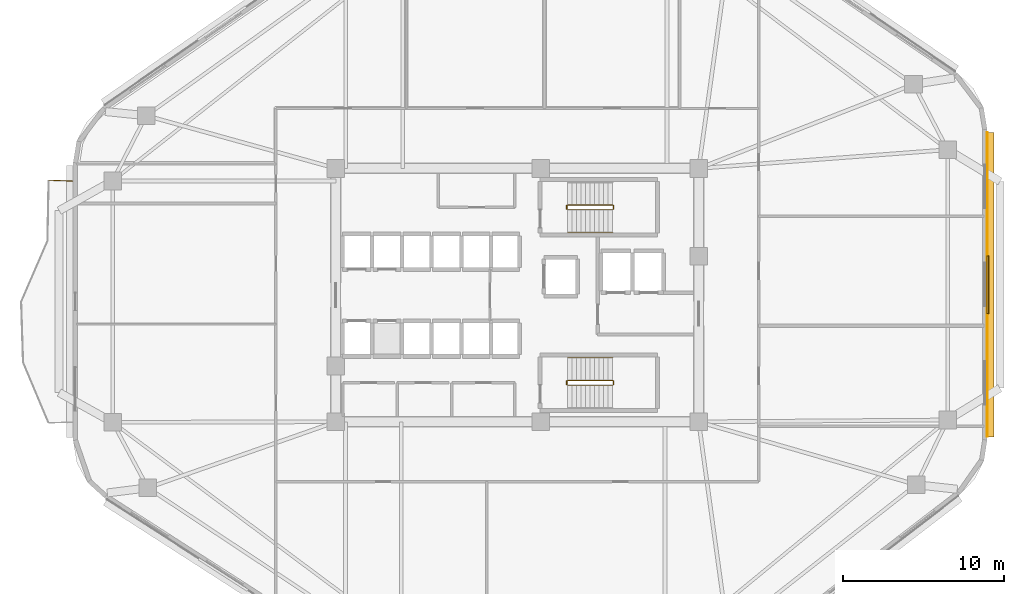
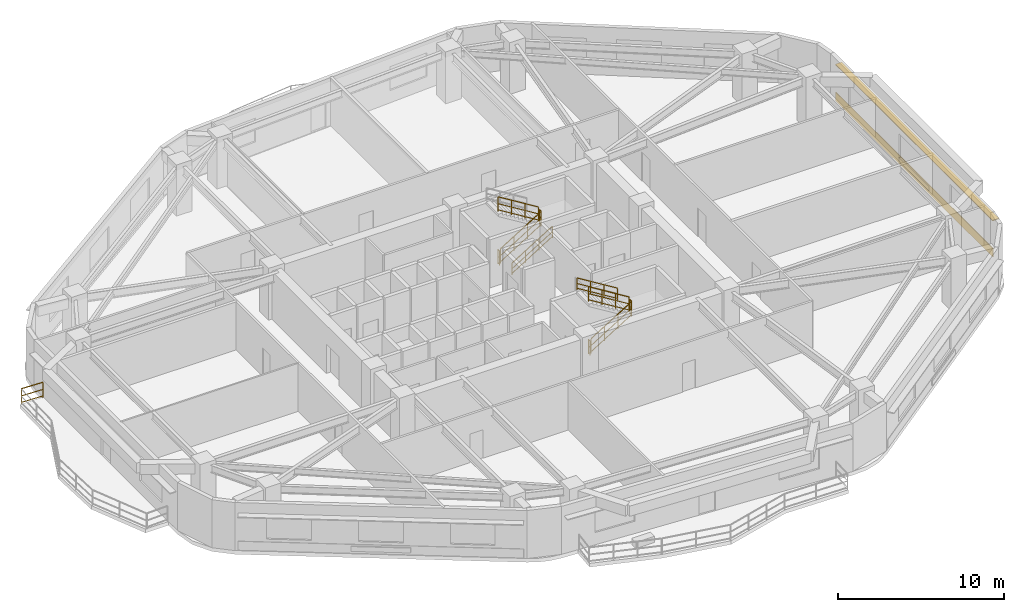
# One storey, part 8 of 10: 11 railings, 2 shading devices, 1 covering.
"""IFC4 building model written with IfcOpenShell, lengths in metres."""

from ifc_helpers import new_model, si_unit, direction, frame, origin, origin_2d, place, context, subcontext, project, spatial, rectangle, extrude, material, layer, layer_set, type_object, element, save


model = new_model("IFC4")

# Units and contexts
model_context = context("Model", 3, precision=1e-05, world=origin(), true_north=direction((0.0, 1.0)))
body_context = subcontext(model_context, "Body", "Model", "MODEL_VIEW")
ifc_project = project(units=[si_unit("LENGTHUNIT", "METRE"), si_unit("AREAUNIT", "SQUARE_METRE"), si_unit("VOLUMEUNIT", "CUBIC_METRE"), si_unit("PLANEANGLEUNIT", "RADIAN"), si_unit("MASSUNIT", "GRAM", prefix="KILO")], contexts=[model_context])

# Site, building, storey
site_placement = place(None, origin())
site = spatial("IfcSite", under=ifc_project, at=site_placement, CompositionType="ELEMENT")
building_placement = place(site_placement, origin())
building = spatial("IfcBuilding", under=site, at=building_placement, Name="Zulverin Broadcast Headquarters", CompositionType="ELEMENT")
storey_placement = place(building_placement, frame((0.0, 0.0, 97.199951171875)))
storey = spatial("IfcBuildingStorey", under=building, at=storey_placement, Name="L24", CompositionType="ELEMENT", Elevation=97.199951171875)

# Covering
ifc_material_1 = material(Name="Brushed pale-aluminium rainscreen cladding", Category="aluminium")
ifc_layer_1 = layer(ifc_material_1, 0.0400390625, Name="Brushed pale-aluminium rainscreen cladding", Category="aluminium")
ifc_layer_set_1 = layer_set([ifc_layer_1], Name="Brushed pale-aluminium rainscreen cladding")
covering_type = type_object("IfcCoveringType", Name="COV-CLAD-PALE", PredefinedType="CLADDING", material=ifc_layer_set_1)
covering_placement = place(storey_placement, frame((66.2099609375, 25.848876953125, 0.05517578125), z_axis=(0.0, 0.0, 1.0), x_axis=(0.0, 1.0, 0.0)))
element("IfcCovering", 1, at=covering_placement, inside=storey, type_object=covering_type, Name="L24 Brushed Pale-Aluminium Spandrel Cladding 3", PredefinedType="CLADDING", context=body_context, shape_type="SweptSolid", body=[
    extrude(rectangle(XDim=18.93115234375, YDim=0.0400390625, at=origin_2d()), origin(), (0.0, 0.0, 1.0), 0.64990234375),
])

# Railings
ifc_material_2 = material(Name="Brushed stainless steel & laminated glass balustrade", Category="steel")
railing_type_1 = type_object("IfcRailingType", Name="RL-GUARD-1150", PredefinedType="GUARDRAIL", material=ifc_material_2)
railing_1_placement = place(storey_placement, frame((9.360107421875, 32.284423828125, 0.0)))
element("IfcRailing", 2, at=railing_1_placement, inside=storey, type_object=railing_type_1, Name="L24 Vertical-Forest Balcony Guardrail BAL_W Segment 01", PredefinedType="GUARDRAIL", context=body_context, shape_type="SweptSolid", body=[
    extrude(rectangle(XDim=0.048095703125, YDim=0.048095703125, at=origin_2d()), frame((0.0, 0.0, 1.1259765625), z_axis=(-0.999181155166, 0.040460093435, 0.0), x_axis=(-0.040460093435, -0.999181155166, 0.0)), (0.0, 0.0, 1.0), 1.46630859375),
    extrude(rectangle(XDim=0.0419921875, YDim=0.0419921875, at=origin_2d()), frame((0.0, 0.0, 0.597900390625), z_axis=(-0.999181155166, 0.040460093435, 0.0), x_axis=(-0.040460093435, -0.999181155166, 0.0)), (0.0, 0.0, 1.0), 1.46630859375),
    extrude(rectangle(XDim=0.0419921875, YDim=0.0419921875, at=origin_2d()), frame((0.0, 0.0, 0.1201171875), z_axis=(-0.999181155166, 0.040460093435, 0.0), x_axis=(-0.040460093435, -0.999181155166, 0.0)), (0.0, 0.0, 1.0), 1.46630859375),
    extrude(rectangle(XDim=0.0419921875, YDim=0.0419921875, at=origin_2d()), origin(), (0.0, 0.0, 1.0), 1.101806640625),
    extrude(rectangle(XDim=0.0419921875, YDim=0.0419921875, at=origin_2d()), frame((-1.465087890625, 0.059326171875, 0.0)), (0.0, 0.0, 1.0), 1.101806640625),
])
ifc_material_3 = material(Name="Painted galvanized steel tubular guardrail S355JR", Category="steel")
railing_type_2 = type_object("IfcRailingType", Name="RL-ST-GUARD", PredefinedType="GUARDRAIL", material=ifc_material_3)
railing_2_placement = place(storey_placement, frame((40.1298828125, 30.5, 0.1728515625)))
element("IfcRailing", 3, at=railing_2_placement, inside=storey, type_object=railing_type_2, Name="L24 ST-1 stair guard 1", PredefinedType="GUARDRAIL", context=body_context, shape_type="SweptSolid", body=[
    extrude(rectangle(XDim=0.048095703125, YDim=0.048095703125, at=origin_2d()), frame((0.0, 0.0, 1.076171875), z_axis=(0.851089632645, 0.0, 0.525020415988), x_axis=(0.0, 1.0, 0.0)), (0.0, 0.0, 1.0), 3.2900390625),
    extrude(rectangle(XDim=0.0419921875, YDim=0.0419921875, at=origin_2d()), frame((0.0, 0.0, 0.572021484375), z_axis=(0.851089632645, 0.0, 0.525020415988), x_axis=(0.0, 1.0, 0.0)), (0.0, 0.0, 1.0), 3.2900390625),
    extrude(rectangle(XDim=0.0419921875, YDim=0.0419921875, at=origin_2d()), frame((0.0, 0.0, 0.1201171875), z_axis=(0.851089632645, 0.0, 0.525020415988), x_axis=(0.0, 1.0, 0.0)), (0.0, 0.0, 1.0), 3.2900390625),
    extrude(rectangle(XDim=0.0419921875, YDim=0.0419921875, at=origin_2d()), origin(), (0.0, 0.0, 1.0), 1.052001953125),
    extrude(rectangle(XDim=0.0419921875, YDim=0.0419921875, at=origin_2d()), frame((0.933349609375, 0.0, 0.57568359375)), (0.0, 0.0, 1.0), 1.052001953125),
    extrude(rectangle(XDim=0.0419921875, YDim=0.0419921875, at=origin_2d()), frame((1.86669921875, 0.0, 1.151611328125)), (0.0, 0.0, 1.0), 1.052001953125),
    extrude(rectangle(XDim=0.0419921875, YDim=0.0419921875, at=origin_2d()), frame((2.800048828125, 0.0, 1.727294921875)), (0.0, 0.0, 1.0), 1.052001953125),
])
railing_3_placement = place(storey_placement, frame((42.97998046875, 30.550048828125, 1.900146484375)))
element("IfcRailing", 4, at=railing_3_placement, inside=storey, type_object=railing_type_2, Name="L24 ST-1 stair guard 2", PredefinedType="GUARDRAIL", context=body_context, shape_type="SweptSolid", body=[
    extrude(rectangle(XDim=0.048095703125, YDim=0.048095703125, at=origin_2d()), frame((0.0, 0.0, 1.076171875), z_axis=(0.0, 1.0, 0.0), x_axis=(-1.0, 0.0, 0.0)), (0.0, 0.0, 1.0), 0.199951171875),
    extrude(rectangle(XDim=0.0419921875, YDim=0.0419921875, at=origin_2d()), frame((0.0, 0.0, 0.572021484375), z_axis=(0.0, 1.0, 0.0), x_axis=(-1.0, 0.0, 0.0)), (0.0, 0.0, 1.0), 0.199951171875),
    extrude(rectangle(XDim=0.0419921875, YDim=0.0419921875, at=origin_2d()), frame((0.0, 0.0, 0.1201171875), z_axis=(0.0, 1.0, 0.0), x_axis=(-1.0, 0.0, 0.0)), (0.0, 0.0, 1.0), 0.199951171875),
    extrude(rectangle(XDim=0.0419921875, YDim=0.0419921875, at=origin_2d()), origin(), (0.0, 0.0, 1.0), 1.052001953125),
    extrude(rectangle(XDim=0.0419921875, YDim=0.0419921875, at=origin_2d()), frame((0.0, 0.199951171875, 0.0)), (0.0, 0.0, 1.0), 1.052001953125),
])
railing_4_placement = place(storey_placement, frame((42.929931640625, 30.800048828125, 2.07275390625)))
element("IfcRailing", 5, at=railing_4_placement, inside=storey, type_object=railing_type_2, Name="L24 ST-1 stair guard 3", PredefinedType="GUARDRAIL", context=body_context, shape_type="SweptSolid", body=[
    extrude(rectangle(XDim=0.048095703125, YDim=0.048095703125, at=origin_2d()), frame((0.0, 0.0, 1.076171875), z_axis=(-0.851089632645, 0.0, 0.525020415988), x_axis=(0.0, -1.0, 0.0)), (0.0, 0.0, 1.0), 3.2900390625),
    extrude(rectangle(XDim=0.0419921875, YDim=0.0419921875, at=origin_2d()), frame((0.0, 0.0, 0.572021484375), z_axis=(-0.851089632645, 0.0, 0.525020415988), x_axis=(0.0, -1.0, 0.0)), (0.0, 0.0, 1.0), 3.2900390625),
    extrude(rectangle(XDim=0.0419921875, YDim=0.0419921875, at=origin_2d()), frame((0.0, 0.0, 0.1201171875), z_axis=(-0.851089632645, 0.0, 0.525020415988), x_axis=(0.0, -1.0, 0.0)), (0.0, 0.0, 1.0), 3.2900390625),
    extrude(rectangle(XDim=0.0419921875, YDim=0.0419921875, at=origin_2d()), origin(), (0.0, 0.0, 1.0), 1.052001953125),
    extrude(rectangle(XDim=0.0419921875, YDim=0.0419921875, at=origin_2d()), frame((-0.933349609375, 0.0, 0.57568359375)), (0.0, 0.0, 1.0), 1.052001953125),
    extrude(rectangle(XDim=0.0419921875, YDim=0.0419921875, at=origin_2d()), frame((-1.86669921875, 0.0, 1.151611328125)), (0.0, 0.0, 1.0), 1.052001953125),
    extrude(rectangle(XDim=0.0419921875, YDim=0.0419921875, at=origin_2d()), frame((-2.800048828125, 0.0, 1.727294921875)), (0.0, 0.0, 1.0), 1.052001953125),
])
railing_5_placement = place(storey_placement, frame((40.080078125, 30.550048828125, 0.0)))
element("IfcRailing", 6, at=railing_5_placement, inside=storey, type_object=railing_type_2, Name="L24 ST-1 stair guard 4", PredefinedType="GUARDRAIL", context=body_context, shape_type="SweptSolid", body=[
    extrude(rectangle(XDim=0.048095703125, YDim=0.048095703125, at=origin_2d()), frame((0.0, 0.0, 1.076171875), z_axis=(0.0, 1.0, 0.0), x_axis=(-1.0, 0.0, 0.0)), (0.0, 0.0, 1.0), 0.199951171875),
    extrude(rectangle(XDim=0.0419921875, YDim=0.0419921875, at=origin_2d()), frame((0.0, 0.0, 0.572021484375), z_axis=(0.0, 1.0, 0.0), x_axis=(-1.0, 0.0, 0.0)), (0.0, 0.0, 1.0), 0.199951171875),
    extrude(rectangle(XDim=0.0419921875, YDim=0.0419921875, at=origin_2d()), frame((0.0, 0.0, 0.1201171875), z_axis=(0.0, 1.0, 0.0), x_axis=(-1.0, 0.0, 0.0)), (0.0, 0.0, 1.0), 0.199951171875),
    extrude(rectangle(XDim=0.0419921875, YDim=0.0419921875, at=origin_2d()), origin(), (0.0, 0.0, 1.0), 1.052001953125),
    extrude(rectangle(XDim=0.0419921875, YDim=0.0419921875, at=origin_2d()), frame((0.0, 0.199951171875, 0.0)), (0.0, 0.0, 1.0), 1.052001953125),
])
railing_6_placement = place(storey_placement, frame((40.1298828125, 19.60009765625, 0.1728515625)))
element("IfcRailing", 7, at=railing_6_placement, inside=storey, type_object=railing_type_2, Name="L24 ST-2 stair guard 1", PredefinedType="GUARDRAIL", context=body_context, shape_type="SweptSolid", body=[
    extrude(rectangle(XDim=0.048095703125, YDim=0.048095703125, at=origin_2d()), frame((0.0, 0.0, 1.076171875), z_axis=(0.851089632645, 0.0, 0.525020415988), x_axis=(0.0, 1.0, 0.0)), (0.0, 0.0, 1.0), 3.2900390625),
    extrude(rectangle(XDim=0.0419921875, YDim=0.0419921875, at=origin_2d()), frame((0.0, 0.0, 0.572021484375), z_axis=(0.851089632645, 0.0, 0.525020415988), x_axis=(0.0, 1.0, 0.0)), (0.0, 0.0, 1.0), 3.2900390625),
    extrude(rectangle(XDim=0.0419921875, YDim=0.0419921875, at=origin_2d()), frame((0.0, 0.0, 0.1201171875), z_axis=(0.851089632645, 0.0, 0.525020415988), x_axis=(0.0, 1.0, 0.0)), (0.0, 0.0, 1.0), 3.2900390625),
    extrude(rectangle(XDim=0.0419921875, YDim=0.0419921875, at=origin_2d()), origin(), (0.0, 0.0, 1.0), 1.052001953125),
    extrude(rectangle(XDim=0.0419921875, YDim=0.0419921875, at=origin_2d()), frame((0.933349609375, 0.0, 0.57568359375)), (0.0, 0.0, 1.0), 1.052001953125),
    extrude(rectangle(XDim=0.0419921875, YDim=0.0419921875, at=origin_2d()), frame((1.86669921875, 0.0, 1.151611328125)), (0.0, 0.0, 1.0), 1.052001953125),
    extrude(rectangle(XDim=0.0419921875, YDim=0.0419921875, at=origin_2d()), frame((2.800048828125, 0.0, 1.727294921875)), (0.0, 0.0, 1.0), 1.052001953125),
])
railing_7_placement = place(storey_placement, frame((42.97998046875, 19.64990234375, 1.900146484375)))
element("IfcRailing", 8, at=railing_7_placement, inside=storey, type_object=railing_type_2, Name="L24 ST-2 stair guard 2", PredefinedType="GUARDRAIL", context=body_context, shape_type="SweptSolid", body=[
    extrude(rectangle(XDim=0.048095703125, YDim=0.048095703125, at=origin_2d()), frame((0.0, 0.0, 1.076171875), z_axis=(0.0, 1.0, 0.0), x_axis=(-1.0, 0.0, 0.0)), (0.0, 0.0, 1.0), 0.2001953125),
    extrude(rectangle(XDim=0.0419921875, YDim=0.0419921875, at=origin_2d()), frame((0.0, 0.0, 0.572021484375), z_axis=(0.0, 1.0, 0.0), x_axis=(-1.0, 0.0, 0.0)), (0.0, 0.0, 1.0), 0.2001953125),
    extrude(rectangle(XDim=0.0419921875, YDim=0.0419921875, at=origin_2d()), frame((0.0, 0.0, 0.1201171875), z_axis=(0.0, 1.0, 0.0), x_axis=(-1.0, 0.0, 0.0)), (0.0, 0.0, 1.0), 0.2001953125),
    extrude(rectangle(XDim=0.0419921875, YDim=0.0419921875, at=origin_2d()), origin(), (0.0, 0.0, 1.0), 1.052001953125),
    extrude(rectangle(XDim=0.0419921875, YDim=0.0419921875, at=origin_2d()), frame((0.0, 0.2001953125, 0.0)), (0.0, 0.0, 1.0), 1.052001953125),
])
railing_8_placement = place(storey_placement, frame((42.929931640625, 19.89990234375, 2.07275390625)))
element("IfcRailing", 9, at=railing_8_placement, inside=storey, type_object=railing_type_2, Name="L24 ST-2 stair guard 3", PredefinedType="GUARDRAIL", context=body_context, shape_type="SweptSolid", body=[
    extrude(rectangle(XDim=0.048095703125, YDim=0.048095703125, at=origin_2d()), frame((0.0, 0.0, 1.076171875), z_axis=(-0.851089632645, 0.0, 0.525020415988), x_axis=(0.0, -1.0, 0.0)), (0.0, 0.0, 1.0), 3.2900390625),
    extrude(rectangle(XDim=0.0419921875, YDim=0.0419921875, at=origin_2d()), frame((0.0, 0.0, 0.572021484375), z_axis=(-0.851089632645, 0.0, 0.525020415988), x_axis=(0.0, -1.0, 0.0)), (0.0, 0.0, 1.0), 3.2900390625),
    extrude(rectangle(XDim=0.0419921875, YDim=0.0419921875, at=origin_2d()), frame((0.0, 0.0, 0.1201171875), z_axis=(-0.851089632645, 0.0, 0.525020415988), x_axis=(0.0, -1.0, 0.0)), (0.0, 0.0, 1.0), 3.2900390625),
    extrude(rectangle(XDim=0.0419921875, YDim=0.0419921875, at=origin_2d()), origin(), (0.0, 0.0, 1.0), 1.052001953125),
    extrude(rectangle(XDim=0.0419921875, YDim=0.0419921875, at=origin_2d()), frame((-0.933349609375, 0.0, 0.57568359375)), (0.0, 0.0, 1.0), 1.052001953125),
    extrude(rectangle(XDim=0.0419921875, YDim=0.0419921875, at=origin_2d()), frame((-1.86669921875, 0.0, 1.151611328125)), (0.0, 0.0, 1.0), 1.052001953125),
    extrude(rectangle(XDim=0.0419921875, YDim=0.0419921875, at=origin_2d()), frame((-2.800048828125, 0.0, 1.727294921875)), (0.0, 0.0, 1.0), 1.052001953125),
])
railing_9_placement = place(storey_placement, frame((40.080078125, 19.64990234375, 0.0)))
element("IfcRailing", 10, at=railing_9_placement, inside=storey, type_object=railing_type_2, Name="L24 ST-2 stair guard 4", PredefinedType="GUARDRAIL", context=body_context, shape_type="SweptSolid", body=[
    extrude(rectangle(XDim=0.048095703125, YDim=0.048095703125, at=origin_2d()), frame((0.0, 0.0, 1.076171875), z_axis=(0.0, 1.0, 0.0), x_axis=(-1.0, 0.0, 0.0)), (0.0, 0.0, 1.0), 0.2001953125),
    extrude(rectangle(XDim=0.0419921875, YDim=0.0419921875, at=origin_2d()), frame((0.0, 0.0, 0.572021484375), z_axis=(0.0, 1.0, 0.0), x_axis=(-1.0, 0.0, 0.0)), (0.0, 0.0, 1.0), 0.2001953125),
    extrude(rectangle(XDim=0.0419921875, YDim=0.0419921875, at=origin_2d()), frame((0.0, 0.0, 0.1201171875), z_axis=(0.0, 1.0, 0.0), x_axis=(-1.0, 0.0, 0.0)), (0.0, 0.0, 1.0), 0.2001953125),
    extrude(rectangle(XDim=0.0419921875, YDim=0.0419921875, at=origin_2d()), origin(), (0.0, 0.0, 1.0), 1.052001953125),
    extrude(rectangle(XDim=0.0419921875, YDim=0.0419921875, at=origin_2d()), frame((0.0, 0.2001953125, 0.0)), (0.0, 0.0, 1.0), 1.052001953125),
])
ifc_material_4 = material(Name="Brushed stainless steel 48 mm handrail", Category="steel")
railing_type_3 = type_object("IfcRailingType", Name="RL-ST-HAND", PredefinedType="HANDRAIL", material=ifc_material_4)
railing_10_placement = place(storey_placement, frame((40.1298828125, 29.10009765625, 0.1728515625)))
element("IfcRailing", 11, at=railing_10_placement, inside=storey, type_object=railing_type_3, Name="L24 ST-1 stair handrail 1", PredefinedType="HANDRAIL", context=body_context, shape_type="SweptSolid", body=[
    extrude(rectangle(XDim=0.048095703125, YDim=0.048095703125, at=origin_2d()), frame((0.0, 0.0, 0.8759765625), z_axis=(0.851089632645, 0.0, 0.525020415988), x_axis=(0.0, 1.0, 0.0)), (0.0, 0.0, 1.0), 3.2900390625),
    extrude(rectangle(XDim=0.0419921875, YDim=0.0419921875, at=origin_2d()), frame((0.0, 0.0, 0.468017578125), z_axis=(0.851089632645, 0.0, 0.525020415988), x_axis=(0.0, 1.0, 0.0)), (0.0, 0.0, 1.0), 3.2900390625),
    extrude(rectangle(XDim=0.0419921875, YDim=0.0419921875, at=origin_2d()), frame((0.0, 0.0, 0.1201171875), z_axis=(0.851089632645, 0.0, 0.525020415988), x_axis=(0.0, 1.0, 0.0)), (0.0, 0.0, 1.0), 3.2900390625),
    extrude(rectangle(XDim=0.0419921875, YDim=0.0419921875, at=origin_2d()), origin(), (0.0, 0.0, 1.0), 0.851806640625),
    extrude(rectangle(XDim=0.0419921875, YDim=0.0419921875, at=origin_2d()), frame((0.933349609375, 0.0, 0.57568359375)), (0.0, 0.0, 1.0), 0.851806640625),
    extrude(rectangle(XDim=0.0419921875, YDim=0.0419921875, at=origin_2d()), frame((1.86669921875, 0.0, 1.151611328125)), (0.0, 0.0, 1.0), 0.851806640625),
    extrude(rectangle(XDim=0.0419921875, YDim=0.0419921875, at=origin_2d()), frame((2.800048828125, 0.0, 1.727294921875)), (0.0, 0.0, 1.0), 0.851806640625),
])
railing_11_placement = place(storey_placement, frame((42.929931640625, 21.300048828125, 2.07275390625)))
element("IfcRailing", 12, at=railing_11_placement, inside=storey, type_object=railing_type_3, Name="L24 ST-2 stair handrail 2", PredefinedType="HANDRAIL", context=body_context, shape_type="SweptSolid", body=[
    extrude(rectangle(XDim=0.048095703125, YDim=0.048095703125, at=origin_2d()), frame((0.0, 0.0, 0.8759765625), z_axis=(-0.851089632645, 0.0, 0.525020415988), x_axis=(0.0, -1.0, 0.0)), (0.0, 0.0, 1.0), 3.2900390625),
    extrude(rectangle(XDim=0.0419921875, YDim=0.0419921875, at=origin_2d()), frame((0.0, 0.0, 0.468017578125), z_axis=(-0.851089632645, 0.0, 0.525020415988), x_axis=(0.0, -1.0, 0.0)), (0.0, 0.0, 1.0), 3.2900390625),
    extrude(rectangle(XDim=0.0419921875, YDim=0.0419921875, at=origin_2d()), frame((0.0, 0.0, 0.1201171875), z_axis=(-0.851089632645, 0.0, 0.525020415988), x_axis=(0.0, -1.0, 0.0)), (0.0, 0.0, 1.0), 3.2900390625),
    extrude(rectangle(XDim=0.0419921875, YDim=0.0419921875, at=origin_2d()), origin(), (0.0, 0.0, 1.0), 0.851806640625),
    extrude(rectangle(XDim=0.0419921875, YDim=0.0419921875, at=origin_2d()), frame((-0.933349609375, 0.0, 0.57568359375)), (0.0, 0.0, 1.0), 0.851806640625),
    extrude(rectangle(XDim=0.0419921875, YDim=0.0419921875, at=origin_2d()), frame((-1.86669921875, 0.0, 1.151611328125)), (0.0, 0.0, 1.0), 0.851806640625),
    extrude(rectangle(XDim=0.0419921875, YDim=0.0419921875, at=origin_2d()), frame((-2.800048828125, 0.0, 1.727294921875)), (0.0, 0.0, 1.0), 0.851806640625),
])

# Shading devices
ifc_material_5 = material(Name="Anodized pale-metal aluminium acoustic louvre", Category="aluminium")
shading_device_type_1 = type_object("IfcShadingDeviceType", Name="SHD-LOUVRE-350", PredefinedType="USERDEFINED", material=ifc_material_5)
shading_device_1_placement = place(storey_placement, frame((66.239990234375, 25.848876953125, 0.2451171875), z_axis=(0.0, 0.0, 1.0), x_axis=(0.0, 1.0, 0.0)))
element("IfcShadingDevice", 13, at=shading_device_1_placement, inside=storey, type_object=shading_device_type_1, Name="L24 Spandrel Intake Louvre 3", ObjectType="LOUVRE", PredefinedType="USERDEFINED", context=body_context, shape_type="SweptSolid", body=[
    extrude(rectangle(XDim=3.60009765625, YDim=0.1201171875, at=origin_2d()), origin(), (0.0, 0.0, 1.0), 0.35009765625),
])
ifc_material_6 = material(Name="Anodized pale-metal aluminium sunshade", Category="aluminium")
ifc_layer_2 = layer(ifc_material_6, 0.06005859375, Name="Anodized pale-metal aluminium sunshade", Category="aluminium")
ifc_layer_set_2 = layer_set([ifc_layer_2], Name="Anodized pale-metal aluminium sunshade")
shading_device_type_2 = type_object("IfcShadingDeviceType", Name="SS-01_PALE_METAL_ALUMINIUM_SUNSHADE", PredefinedType="USERDEFINED", material=ifc_layer_set_2)
shading_device_2_placement = place(storey_placement, frame((66.39990234375, 25.848876953125, 2.7099609375), z_axis=(0.0, 0.0, 1.0), x_axis=(0.0, 1.0, 0.0)))
element("IfcShadingDevice", 14, at=shading_device_2_placement, inside=storey, type_object=shading_device_type_2, Name="L24 Horizontal Pale-Metal Sunshade Band 3", ObjectType="SUNSHADE", PredefinedType="USERDEFINED", context=body_context, shape_type="SweptSolid", body=[
    extrude(rectangle(XDim=18.93115234375, YDim=0.449951171875, at=origin_2d()), origin(), (0.0, 0.0, 1.0), 0.06005859375),
])

save(model, "model.ifc")
